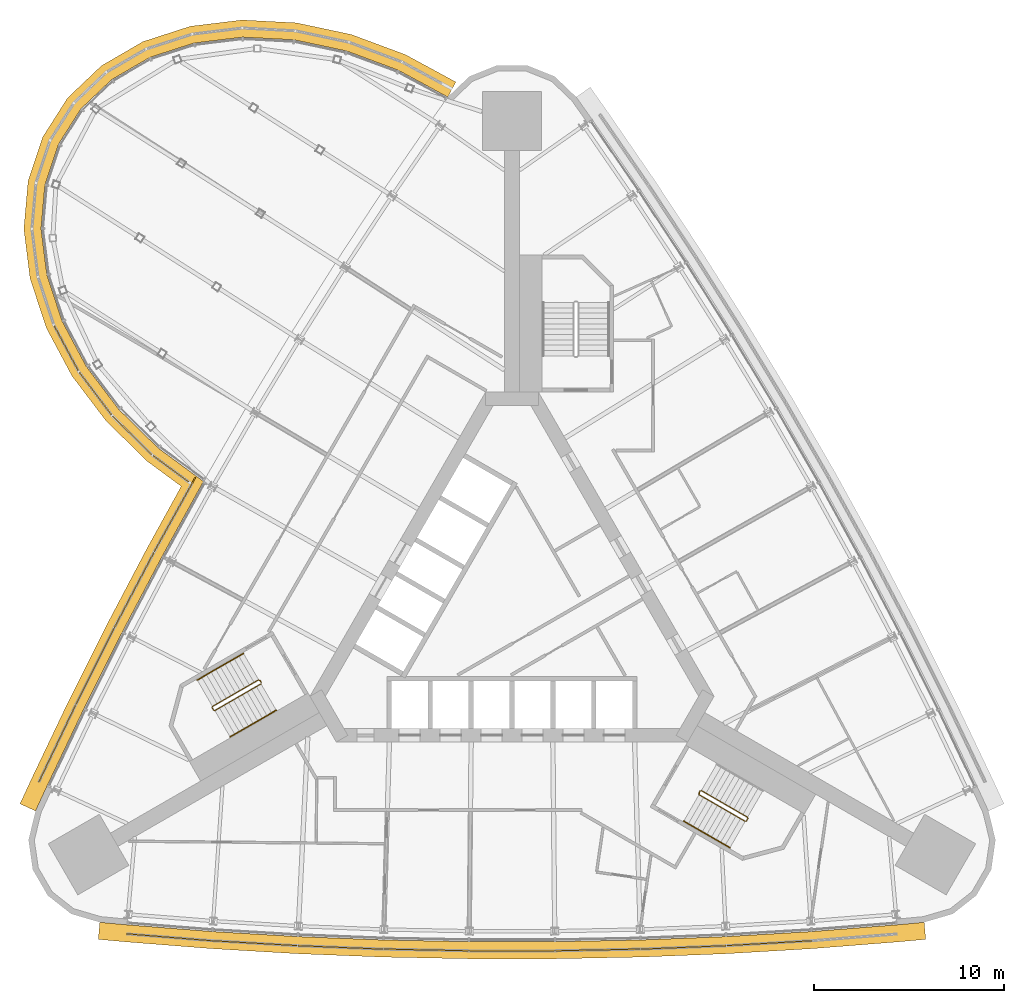
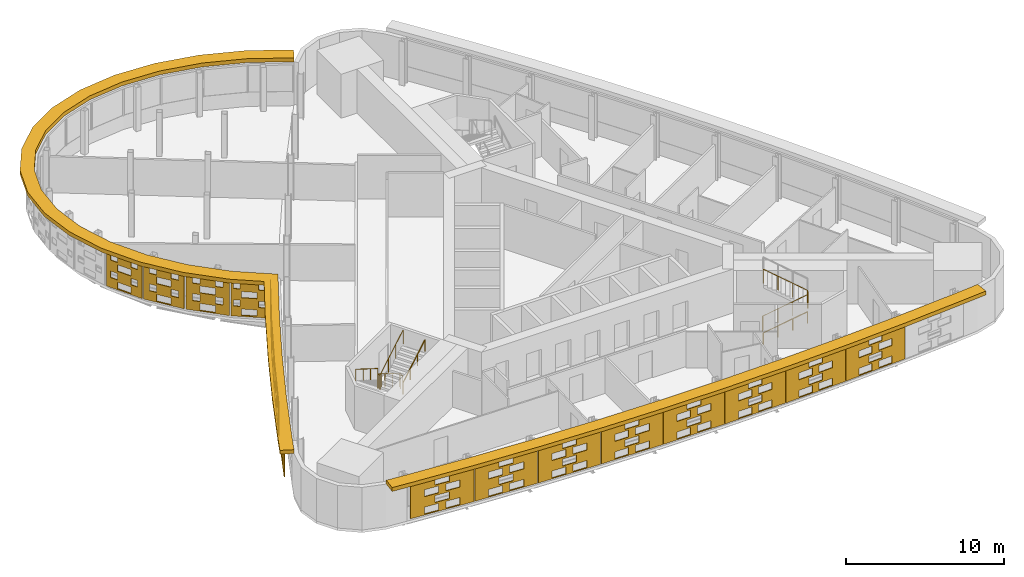
# One storey, part 15 of 17: 18 shading devices, 5 railings.
"""IFC4 building model written with IfcOpenShell, lengths in metres."""

from ifc_helpers import new_model, si_unit, direction, frame, origin, origin_2d, place, context, subcontext, project, spatial, polyline, circle, outline, extrude, material, layer, layer_set, material_profile, profile_set, type_object, element, save


model = new_model("IFC4")

# Units and contexts
model_context = context("Model", 3, precision=1e-05, world=origin(), true_north=direction((0.0, 1.0)))
body_context = subcontext(model_context, "Body", "Model", "MODEL_VIEW")
ifc_project = project(units=[si_unit("LENGTHUNIT", "METRE"), si_unit("AREAUNIT", "SQUARE_METRE"), si_unit("VOLUMEUNIT", "CUBIC_METRE"), si_unit("PLANEANGLEUNIT", "RADIAN"), si_unit("MASSUNIT", "GRAM", prefix="KILO")], contexts=[model_context])

# Site, building, storey
site_placement = place(None, origin())
site = spatial("IfcSite", under=ifc_project, at=site_placement, CompositionType="ELEMENT")
building_placement = place(site_placement, origin())
building = spatial("IfcBuilding", under=site, at=building_placement, Name="Noor Cloister Tower", CompositionType="ELEMENT")
storey_placement = place(building_placement, frame((0.0, 0.0, 98.699951171875)))
storey = spatial("IfcBuildingStorey", under=building, at=storey_placement, Name="L25", CompositionType="ELEMENT", Elevation=98.699951171875)

# Shading devices
ifc_material_1 = material(Name="Limestone", Category="masonry")
ifc_material_profile = material_profile(ifc_material_1, outline(polyline([(-2.22998046875, -1.35009765625), (2.22998046875, -1.35009765625), (2.22998046875, 1.35009765625), (-2.22998046875, 1.35009765625), (-2.22998046875, -1.35009765625)]), holes=[polyline([(-1.25, -1.282470703125), (-0.25, -1.282470703125), (-0.25, -0.742431640625), (-1.25, -0.742431640625), (-1.25, -1.282470703125)]), polyline([(0.25, -1.282470703125), (1.25, -1.282470703125), (1.25, -0.742431640625), (0.25, -0.742431640625), (0.25, -1.282470703125)]), polyline([(-0.5, -0.607421875), (0.5, -0.607421875), (0.5, -0.0673828125), (-0.5, -0.0673828125), (-0.5, -0.607421875)]), polyline([(-1.25, 0.0673828125), (-0.25, 0.0673828125), (-0.25, 0.607421875), (-1.25, 0.607421875), (-1.25, 0.0673828125)]), polyline([(0.25, 0.0673828125), (1.25, 0.0673828125), (1.25, 0.607421875), (0.25, 0.607421875), (0.25, 0.0673828125)]), polyline([(-0.5, 0.742431640625), (0.5, 0.742431640625), (0.5, 1.282470703125), (-0.5, 1.282470703125), (-0.5, 0.742431640625)])]), Name="Woven screen 28 percent open")
ifc_profile_set = profile_set([ifc_material_profile], Name="Limestone")
shading_device_type_1 = type_object("IfcShadingDeviceType", Name="SCREEN woven limestone 28 percent open", PredefinedType="USERDEFINED", material=ifc_profile_set)
shading_device_1_placement = place(storey_placement, frame((-17.6884765625, 5.006591796875, 1.85009765625), z_axis=(-0.874923997532, 0.484260259099, 0.0), x_axis=(-0.484260259099, -0.874923997532, 0.0)))
element("IfcShadingDevice", 1, at=shading_device_1_placement, inside=storey, type_object=shading_device_type_1, Name="SCREEN L25 18", ObjectType="SCREEN", PredefinedType="USERDEFINED", context=body_context, shape_type="SweptSolid", body=[
    extrude(outline(polyline([(-2.22998046875, -1.35009765625), (2.22998046875, -1.35009765625), (2.22998046875, 1.35009765625), (-2.22998046875, 1.35009765625), (-2.22998046875, -1.35009765625)]), holes=[polyline([(-1.25, -1.282470703125), (-0.25, -1.282470703125), (-0.25, -0.742431640625), (-1.25, -0.742431640625), (-1.25, -1.282470703125)]), polyline([(0.25, -1.282470703125), (1.25, -1.282470703125), (1.25, -0.742431640625), (0.25, -0.742431640625), (0.25, -1.282470703125)]), polyline([(-0.5, -0.607421875), (0.5, -0.607421875), (0.5, -0.0673828125), (-0.5, -0.0673828125), (-0.5, -0.607421875)]), polyline([(-1.25, 0.0673828125), (-0.25, 0.0673828125), (-0.25, 0.607421875), (-1.25, 0.607421875), (-1.25, 0.0673828125)]), polyline([(0.25, 0.0673828125), (1.25, 0.0673828125), (1.25, 0.607421875), (0.25, 0.607421875), (0.25, 0.0673828125)]), polyline([(-0.5, 0.742431640625), (0.5, 0.742431640625), (0.5, 1.282470703125), (-0.5, 1.282470703125), (-0.5, 0.742431640625)])]), origin(), (0.0, 0.0, 1.0), 0.06005859375),
])
shading_device_2_placement = place(storey_placement, frame((-19.82666015625, 1.037353515625, 1.85009765625), z_axis=(-0.885271944608, 0.465073740486, 0.0), x_axis=(-0.465073740486, -0.885271944608, 0.0)))
element("IfcShadingDevice", 2, at=shading_device_2_placement, inside=storey, type_object=shading_device_type_1, Name="SCREEN L25 19", ObjectType="SCREEN", PredefinedType="USERDEFINED", context=body_context, shape_type="SweptSolid", body=[
    extrude(outline(polyline([(-2.22998046875, -1.35009765625), (2.22998046875, -1.35009765625), (2.22998046875, 1.35009765625), (-2.22998046875, 1.35009765625), (-2.22998046875, -1.35009765625)]), holes=[polyline([(-1.25, -1.282470703125), (-0.25, -1.282470703125), (-0.25, -0.742431640625), (-1.25, -0.742431640625), (-1.25, -1.282470703125)]), polyline([(0.25, -1.282470703125), (1.25, -1.282470703125), (1.25, -0.742431640625), (0.25, -0.742431640625), (0.25, -1.282470703125)]), polyline([(-0.5, -0.607421875), (0.5, -0.607421875), (0.5, -0.0673828125), (-0.5, -0.0673828125), (-0.5, -0.607421875)]), polyline([(-1.25, 0.0673828125), (-0.25, 0.0673828125), (-0.25, 0.607421875), (-1.25, 0.607421875), (-1.25, 0.0673828125)]), polyline([(0.25, 0.0673828125), (1.25, 0.0673828125), (1.25, 0.607421875), (0.25, 0.607421875), (0.25, 0.0673828125)]), polyline([(-0.5, 0.742431640625), (0.5, 0.742431640625), (0.5, 1.282470703125), (-0.5, 1.282470703125), (-0.5, 0.742431640625)])]), origin(), (0.0, 0.0, 1.0), 0.059814453125),
])
for number, where, z_axis, x_axis, name in (
    (3, (-21.885986328125, -2.973388671875, 1.85009765625), (-0.894427191, 0.4472135955, 0.0), (-0.4472135955, -0.894427191, 0.0), "SCREEN L25 20"),
    (4, (-23.8662109375, -7.02392578125, 1.85009765625), (-0.902409201061, 0.430880068975, 0.0), (-0.430880068975, -0.902409201061, 0.0), "SCREEN L25 21"),
    (5, (-18.015869140625, -17.15673828125, 1.85009765625), (-0.081362009455, -0.996684615823, 0.0), (0.996684615823, -0.081362009455, 0.0), "SCREEN L25 1"),
):
    element("IfcShadingDevice", number, at=place(storey_placement, frame(where, z_axis=z_axis, x_axis=x_axis)), inside=storey, type_object=shading_device_type_1, Name=name, ObjectType="SCREEN", PredefinedType="USERDEFINED", context=body_context, shape_type="SweptSolid", body=[
        extrude(outline(polyline([(-2.22998046875, -1.35009765625), (2.22998046875, -1.35009765625), (2.22998046875, 1.35009765625), (-2.22998046875, 1.35009765625), (-2.22998046875, -1.35009765625)]), holes=[polyline([(-1.25, -1.282470703125), (-0.25, -1.282470703125), (-0.25, -0.742431640625), (-1.25, -0.742431640625), (-1.25, -1.282470703125)]), polyline([(0.25, -1.282470703125), (1.25, -1.282470703125), (1.25, -0.742431640625), (0.25, -0.742431640625), (0.25, -1.282470703125)]), polyline([(-0.5, -0.607421875), (0.5, -0.607421875), (0.5, -0.0673828125), (-0.5, -0.0673828125), (-0.5, -0.607421875)]), polyline([(-1.25, 0.0673828125), (-0.25, 0.0673828125), (-0.25, 0.607421875), (-1.25, 0.607421875), (-1.25, 0.0673828125)]), polyline([(0.25, 0.0673828125), (1.25, 0.0673828125), (1.25, 0.607421875), (0.25, 0.607421875), (0.25, 0.0673828125)]), polyline([(-0.5, 0.742431640625), (0.5, 0.742431640625), (0.5, 1.282470703125), (-0.5, 1.282470703125), (-0.5, 0.742431640625)])]), origin(), (0.0, 0.0, 1.0), 0.06005859375),
    ])
shading_device_3_placement = place(storey_placement, frame((-13.51806640625, -17.46728515625, 1.85009765625), z_axis=(-0.057049790539, -0.998371334424, 0.0), x_axis=(0.998371334424, -0.057049790539, 0.0)))
element("IfcShadingDevice", 6, at=shading_device_3_placement, inside=storey, type_object=shading_device_type_1, Name="SCREEN L25 2", ObjectType="SCREEN", PredefinedType="USERDEFINED", context=body_context, shape_type="SweptSolid", body=[
    extrude(outline(polyline([(-2.22998046875, -1.35009765625), (2.22998046875, -1.35009765625), (2.22998046875, 1.35009765625), (-2.22998046875, 1.35009765625), (-2.22998046875, -1.35009765625)]), holes=[polyline([(-1.25, -1.282470703125), (-0.25, -1.282470703125), (-0.25, -0.742431640625), (-1.25, -0.742431640625), (-1.25, -1.282470703125)]), polyline([(0.25, -1.282470703125), (1.25, -1.282470703125), (1.25, -0.742431640625), (0.25, -0.742431640625), (0.25, -1.282470703125)]), polyline([(-0.5, -0.607421875), (0.5, -0.607421875), (0.5, -0.0673828125), (-0.5, -0.0673828125), (-0.5, -0.607421875)]), polyline([(-1.25, 0.0673828125), (-0.25, 0.0673828125), (-0.25, 0.607421875), (-1.25, 0.607421875), (-1.25, 0.0673828125)]), polyline([(0.25, 0.0673828125), (1.25, 0.0673828125), (1.25, 0.607421875), (0.25, 0.607421875), (0.25, 0.0673828125)]), polyline([(-0.5, 0.742431640625), (0.5, 0.742431640625), (0.5, 1.282470703125), (-0.5, 1.282470703125), (-0.5, 0.742431640625)])]), origin(), (0.0, 0.0, 1.0), 0.059814453125),
])
for number, where, z_axis, x_axis, name in (
    (7, (-9.014892578125, -17.68896484375, 1.85009765625), (-0.040616861577, -0.999174794796, 0.0), (0.999174794796, -0.040616861577, 0.0), "SCREEN L25 3"),
    (8, (-4.50830078125, -17.822021484375, 1.85009765625), (-0.020321006241, -0.999793507033, 0.0), (0.999793507033, -0.020321006241, 0.0), "SCREEN L25 4"),
    (9, (0.0, -17.866455078125, 1.85009765625), (0.0, -1.0, 0.0), (1.0, 0.0, 0.0), "SCREEN L25 5"),
    (10, (4.50830078125, -17.822021484375, 1.85009765625), (0.020321006241, -0.999793507033, 0.0), (0.999793507033, 0.020321006241, 0.0), "SCREEN L25 6"),
    (11, (9.014892578125, -17.68896484375, 1.85009765625), (0.040616861577, -0.999174794796, 0.0), (0.999174794796, 0.040616861577, 0.0), "SCREEN L25 7"),
):
    element("IfcShadingDevice", number, at=place(storey_placement, frame(where, z_axis=z_axis, x_axis=x_axis)), inside=storey, type_object=shading_device_type_1, Name=name, ObjectType="SCREEN", PredefinedType="USERDEFINED", context=body_context, shape_type="SweptSolid", body=[
        extrude(outline(polyline([(-2.22998046875, -1.35009765625), (2.22998046875, -1.35009765625), (2.22998046875, 1.35009765625), (-2.22998046875, 1.35009765625), (-2.22998046875, -1.35009765625)]), holes=[polyline([(-1.25, -1.282470703125), (-0.25, -1.282470703125), (-0.25, -0.742431640625), (-1.25, -0.742431640625), (-1.25, -1.282470703125)]), polyline([(0.25, -1.282470703125), (1.25, -1.282470703125), (1.25, -0.742431640625), (0.25, -0.742431640625), (0.25, -1.282470703125)]), polyline([(-0.5, -0.607421875), (0.5, -0.607421875), (0.5, -0.0673828125), (-0.5, -0.0673828125), (-0.5, -0.607421875)]), polyline([(-1.25, 0.0673828125), (-0.25, 0.0673828125), (-0.25, 0.607421875), (-1.25, 0.607421875), (-1.25, 0.0673828125)]), polyline([(0.25, 0.0673828125), (1.25, 0.0673828125), (1.25, 0.607421875), (0.25, 0.607421875), (0.25, 0.0673828125)]), polyline([(-0.5, 0.742431640625), (0.5, 0.742431640625), (0.5, 1.282470703125), (-0.5, 1.282470703125), (-0.5, 0.742431640625)])]), origin(), (0.0, 0.0, 1.0), 0.06005859375),
    ])
shading_device_4_placement = place(storey_placement, frame((13.51806640625, -17.46728515625, 1.85009765625), z_axis=(0.057049790539, -0.998371334424, 0.0), x_axis=(0.998371334424, 0.057049790539, 0.0)))
element("IfcShadingDevice", 12, at=shading_device_4_placement, inside=storey, type_object=shading_device_type_1, Name="SCREEN L25 8", ObjectType="SCREEN", PredefinedType="USERDEFINED", context=body_context, shape_type="SweptSolid", body=[
    extrude(outline(polyline([(-2.22998046875, -1.35009765625), (2.22998046875, -1.35009765625), (2.22998046875, 1.35009765625), (-2.22998046875, 1.35009765625), (-2.22998046875, -1.35009765625)]), holes=[polyline([(-1.25, -1.282470703125), (-0.25, -1.282470703125), (-0.25, -0.742431640625), (-1.25, -0.742431640625), (-1.25, -1.282470703125)]), polyline([(0.25, -1.282470703125), (1.25, -1.282470703125), (1.25, -0.742431640625), (0.25, -0.742431640625), (0.25, -1.282470703125)]), polyline([(-0.5, -0.607421875), (0.5, -0.607421875), (0.5, -0.0673828125), (-0.5, -0.0673828125), (-0.5, -0.607421875)]), polyline([(-1.25, 0.0673828125), (-0.25, 0.0673828125), (-0.25, 0.607421875), (-1.25, 0.607421875), (-1.25, 0.0673828125)]), polyline([(0.25, 0.0673828125), (1.25, 0.0673828125), (1.25, 0.607421875), (0.25, 0.607421875), (0.25, 0.0673828125)]), polyline([(-0.5, 0.742431640625), (0.5, 0.742431640625), (0.5, 1.282470703125), (-0.5, 1.282470703125), (-0.5, 0.742431640625)])]), origin(), (0.0, 0.0, 1.0), 0.059814453125),
])
ifc_material_2 = material(Name="Limestone", Category="masonry")
ifc_layer = layer(ifc_material_2, 0.06005859375)
ifc_layer_set = layer_set([ifc_layer], Name="SCREEN woven limestone pod 28 percent open")
shading_device_type_2 = type_object("IfcShadingDeviceType", Name="SCREEN woven limestone pod 28 percent open", PredefinedType="USERDEFINED", material=ifc_layer_set)
shading_device_5_placement = place(storey_placement, frame((-23.390380859375, 13.770751953125, 1.85009765625), z_axis=(-0.88190253726, -0.47143177107, 0.0), x_axis=(0.47143177107, -0.88190253726, 0.0)))
element("IfcShadingDevice", 13, at=shading_device_5_placement, inside=storey, type_object=shading_device_type_2, Name="SCREEN L25 14", ObjectType="SCREEN", PredefinedType="USERDEFINED", context=body_context, shape_type="SweptSolid", body=[
    extrude(outline(polyline([(-1.3330078125, -1.35009765625), (1.3330078125, -1.35009765625), (1.3330078125, 1.35009765625), (-1.3330078125, 1.35009765625), (-1.3330078125, -1.35009765625)]), holes=[polyline([(-0.5, -1.264404296875), (0.5, -1.264404296875), (0.5, -0.760498046875), (-0.5, -0.760498046875), (-0.5, -1.264404296875)]), polyline([(-1.0, -0.58935546875), (-0.5, -0.58935546875), (-0.5, -0.085693359375), (-1.0, -0.085693359375), (-1.0, -0.58935546875)]), polyline([(0.5, -0.58935546875), (1.0, -0.58935546875), (1.0, -0.085693359375), (0.5, -0.085693359375), (0.5, -0.58935546875)]), polyline([(-0.5, 0.085693359375), (0.5, 0.085693359375), (0.5, 0.58935546875), (-0.5, 0.58935546875), (-0.5, 0.085693359375)]), polyline([(-1.0, 0.760498046875), (-0.5, 0.760498046875), (-0.5, 1.264404296875), (-1.0, 1.264404296875), (-1.0, 0.760498046875)]), polyline([(0.5, 0.760498046875), (1.0, 0.760498046875), (1.0, 1.264404296875), (0.5, 1.264404296875), (0.5, 0.760498046875)])]), origin(), (0.0, 0.0, 1.0), 0.06005859375),
])
shading_device_6_placement = place(storey_placement, frame((-21.863037109375, 11.393798828125, 1.85009765625), z_axis=(-0.798041368931, -0.602602666336, 0.0), x_axis=(0.602602666336, -0.798041368931, 0.0)))
element("IfcShadingDevice", 14, at=shading_device_6_placement, inside=storey, type_object=shading_device_type_2, Name="SCREEN L25 15", ObjectType="SCREEN", PredefinedType="USERDEFINED", context=body_context, shape_type="SweptSolid", body=[
    extrude(outline(polyline([(-1.39013671875, -1.35009765625), (1.39013671875, -1.35009765625), (1.39013671875, 1.35009765625), (-1.39013671875, 1.35009765625), (-1.39013671875, -1.35009765625)]), holes=[polyline([(-0.5, -1.275146484375), (0.5, -1.275146484375), (0.5, -0.749755859375), (-0.5, -0.749755859375), (-0.5, -1.275146484375)]), polyline([(-1.0, -0.600341796875), (-0.5, -0.600341796875), (-0.5, -0.07470703125), (-1.0, -0.07470703125), (-1.0, -0.600341796875)]), polyline([(0.5, -0.600341796875), (1.0, -0.600341796875), (1.0, -0.07470703125), (0.5, -0.07470703125), (0.5, -0.600341796875)]), polyline([(-0.5, 0.07470703125), (0.5, 0.07470703125), (0.5, 0.600341796875), (-0.5, 0.600341796875), (-0.5, 0.07470703125)]), polyline([(-1.0, 0.749755859375), (-0.5, 0.749755859375), (-0.5, 1.275146484375), (-1.0, 1.275146484375), (-1.0, 0.749755859375)]), polyline([(0.5, 0.749755859375), (1.0, 0.749755859375), (1.0, 1.275146484375), (0.5, 1.275146484375), (0.5, 0.749755859375)])]), origin(), (0.0, 0.0, 1.0), 0.06005859375),
])
shading_device_7_placement = place(storey_placement, frame((-19.931640625, 9.20361328125, 1.85009765625), z_axis=(-0.70096726958, -0.713193442887, 0.0), x_axis=(0.713193442887, -0.70096726958, 0.0)))
element("IfcShadingDevice", 15, at=shading_device_7_placement, inside=storey, type_object=shading_device_type_2, Name="SCREEN L25 16", ObjectType="SCREEN", PredefinedType="USERDEFINED", context=body_context, shape_type="SweptSolid", body=[
    extrude(outline(polyline([(-1.431640625, -1.35009765625), (1.431640625, -1.35009765625), (1.431640625, 1.35009765625), (-1.431640625, 1.35009765625), (-1.431640625, -1.35009765625)]), holes=[polyline([(-0.5, -1.282470703125), (0.5, -1.282470703125), (0.5, -0.742431640625), (-0.5, -0.742431640625), (-0.5, -1.282470703125)]), polyline([(-1.0, -0.607421875), (-0.5, -0.607421875), (-0.5, -0.0673828125), (-1.0, -0.0673828125), (-1.0, -0.607421875)]), polyline([(0.5, -0.607421875), (1.0, -0.607421875), (1.0, -0.0673828125), (0.5, -0.0673828125), (0.5, -0.607421875)]), polyline([(-0.5, 0.0673828125), (0.5, 0.0673828125), (0.5, 0.607421875), (-0.5, 0.607421875), (-0.5, 0.0673828125)]), polyline([(-1.0, 0.742431640625), (-0.5, 0.742431640625), (-0.5, 1.282470703125), (-1.0, 1.282470703125), (-1.0, 0.742431640625)]), polyline([(0.5, 0.742431640625), (1.0, 0.742431640625), (1.0, 1.282470703125), (0.5, 1.282470703125), (0.5, 0.742431640625)])]), origin(), (0.0, 0.0, 1.0), 0.059814453125),
])
shading_device_8_placement = place(storey_placement, frame((-17.902587890625, 7.449951171875, 1.85009765625), z_axis=(-0.593476321419, -0.804851449595, 0.0), x_axis=(0.804851449595, -0.593476321419, 0.0)))
element("IfcShadingDevice", 16, at=shading_device_8_placement, inside=storey, type_object=shading_device_type_2, Name="SCREEN L25 17", ObjectType="SCREEN", PredefinedType="USERDEFINED", context=body_context, shape_type="SweptSolid", body=[
    extrude(outline(polyline([(-1.153564453125, -1.35009765625), (1.153564453125, -1.35009765625), (1.153564453125, 1.35009765625), (-1.153564453125, 1.35009765625), (-1.153564453125, -1.35009765625)]), holes=[polyline([(-0.5, -1.25390625), (0.5, -1.25390625), (0.5, -0.771240234375), (-0.5, -0.771240234375), (-0.5, -1.25390625)]), polyline([(0.60009765625, -0.578857421875), (1.00341796875, -0.578857421875), (1.00341796875, -0.09619140625), (0.60009765625, -0.09619140625), (0.60009765625, -0.578857421875)]), polyline([(-1.00341796875, -0.578857421875), (-0.60009765625, -0.578857421875), (-0.60009765625, -0.09619140625), (-1.00341796875, -0.09619140625), (-1.00341796875, -0.578857421875)]), polyline([(-0.5, 0.09619140625), (0.5, 0.09619140625), (0.5, 0.578857421875), (-0.5, 0.578857421875), (-0.5, 0.09619140625)]), polyline([(0.60009765625, 0.771240234375), (1.00341796875, 0.771240234375), (1.00341796875, 1.25390625), (0.60009765625, 1.25390625), (0.60009765625, 0.771240234375)]), polyline([(-1.00341796875, 0.771240234375), (-0.60009765625, 0.771240234375), (-0.60009765625, 1.25390625), (-1.00341796875, 1.25390625), (-1.00341796875, 0.771240234375)])]), origin(), (0.0, 0.0, 1.0), 0.06005859375),
])
ifc_material_3 = material(Name="Limestone", Category="masonry")
shading_device_type_3 = type_object("IfcShadingDeviceType", Name="SUNSHADE limestone band 900", PredefinedType="USERDEFINED", material=ifc_material_3)
shading_device_9_placement = place(storey_placement, frame((0.0, 0.0, 3.300048828125)))
element("IfcShadingDevice", 17, at=shading_device_9_placement, inside=storey, type_object=shading_device_type_3, Name="SUNSHADE L25 1", ObjectType="SUNSHADE", PredefinedType="USERDEFINED", context=body_context, shape_type="SweptSolid", body=[
    extrude(outline(polyline([(-2.946533203125, 27.743896484375), (-5.5927734375, 29.178955078125), (-8.43505859375, 30.2373046875), (-11.32763671875, 30.85302734375), (-14.1787109375, 31.001708984375), (-16.896240234375, 30.671875), (-19.38916015625, 29.864990234375), (-21.56787109375, 28.598388671875), (-23.34619140625, 26.908935546875), (-24.649169921875, 24.85888671875), (-25.42333984375, 22.53125), (-25.64501953125, 20.020751953125), (-25.31689453125, 17.421142578125), (-24.461669921875, 14.82080078125), (-23.1162109375, 12.302734375), (-21.330322265625, 9.9453125), (-19.1650390625, 7.821533203125), (-17.377197265625, 6.50341796875), (-19.17333984375, 3.245849609375), (-21.2763671875, -0.75244140625), (-23.30029296875, -4.791259765625), (-25.2431640625, -8.866455078125), (-25.846923828125, -10.17626953125), (-25.029541015625, -10.552978515625), (-24.42822265625, -9.24853515625), (-22.49169921875, -5.1865234375), (-20.475830078125, -1.16357421875), (-18.380859375, 2.819091796875), (-16.2080078125, 6.759765625), (-18.580078125, 8.508544921875), (-20.65283203125, 10.54150390625), (-22.35595703125, 12.78955078125), (-23.631103515625, 15.17626953125), (-24.434814453125, 17.619873046875), (-24.739990234375, 20.03759765625), (-24.5361328125, 22.34716796875), (-23.830078125, 24.469482421875), (-22.646240234375, 26.332763671875), (-21.0244140625, 27.873291015625), (-19.02001953125, 29.03857421875), (-16.70166015625, 29.7890625), (-14.147705078125, 30.098876953125), (-11.445556640625, 29.9580078125), (-8.68701171875, 29.370849609375), (-5.96630859375, 28.357666015625), (-3.37548828125, 26.95263671875), (-2.946533203125, 27.743896484375)])), origin(), (0.0, 0.0, 1.0), 0.300048828125),
])
shading_device_10_placement = place(storey_placement, frame((0.0, 0.0, 3.300048828125)))
element("IfcShadingDevice", 18, at=shading_device_10_placement, inside=storey, type_object=shading_device_type_3, Name="SUNSHADE L25 2", ObjectType="SUNSHADE", PredefinedType="USERDEFINED", context=body_context, shape_type="SweptSolid", body=[
    extrude(outline(polyline([(-21.736328125, -17.2958984375), (-20.300048828125, -17.427978515625), (-15.799560546875, -17.783203125), (-11.289794921875, -18.0498046875), (-6.775634765625, -18.2275390625), (-2.2587890625, -18.31640625), (2.2587890625, -18.31640625), (6.775634765625, -18.2275390625), (11.289794921875, -18.0498046875), (15.799560546875, -17.783203125), (20.300048828125, -17.427978515625), (21.736328125, -17.2958984375), (21.65380859375, -16.399658203125), (20.2236328125, -16.53125), (15.737548828125, -16.88525390625), (11.245361328125, -17.150634765625), (6.7490234375, -17.327880859375), (2.25, -17.41650390625), (-2.25, -17.41650390625), (-6.7490234375, -17.327880859375), (-11.245361328125, -17.150634765625), (-15.737548828125, -16.88525390625), (-20.2236328125, -16.53125), (-21.65380859375, -16.399658203125), (-21.736328125, -17.2958984375)])), origin(), (0.0, 0.0, 1.0), 0.300048828125),
])

# Railings
ifc_material_4 = material(Name="Stainless steel", Category="steel")
railing_type_1 = type_object("IfcRailingType", Name="Stair guard 1100", PredefinedType="GUARDRAIL", material=ifc_material_4)
railing_1_placement = place(storey_placement, frame((-13.241455078125, -3.677734375, 0.0)))
element("IfcRailing", 19, at=railing_1_placement, inside=storey, type_object=railing_type_1, Name="Stair guard ST2 L25", PredefinedType="GUARDRAIL", context=body_context, shape_type="SweptSolid", body=[
    extrude(circle(Radius=0.02392578125, at=origin_2d()), frame((0.0, 0.0, 1.076171875), z_axis=(0.499112439033, -0.866537231285, 0.0), x_axis=(0.866537231285, 0.499112439033, 0.0)), (0.0, 0.0, 1.0), 0.150146484375),
    extrude(circle(Radius=0.02392578125, at=origin_2d()), frame((0.074951171875, -0.130126953125, 1.076171875), z_axis=(-0.544565797804, 0.563119998752, 0.621565731736), x_axis=(-0.718850276695, -0.695164929852, 0.0)), (0.0, 0.0, 1.0), 0.26318359375),
    extrude(circle(Radius=0.02392578125, at=origin_2d()), frame((-0.068359375, 0.01806640625, 1.23974609375), z_axis=(-0.747689811644, -0.431660630283, 0.504607813879), x_axis=(0.49998411664, -0.866034573852, 0.0)), (0.0, 0.0, 1.0), 3.2431640625),
    extrude(circle(Radius=0.02392578125, at=origin_2d()), frame((-2.4931640625, -1.3818359375, 2.8759765625), z_axis=(-0.258736085224, -0.965948051503, 0.0), x_axis=(0.965948051503, -0.258736085224, 0.0)), (0.0, 0.0, 1.0), 0.07080078125),
    extrude(circle(Radius=0.02392578125, at=origin_2d()), frame((-2.511474609375, -1.4501953125, 2.8759765625), z_axis=(0.499816412211, -0.866131372301, 0.0), x_axis=(0.866131372301, 0.499816412211, 0.0)), (0.0, 0.0, 1.0), 0.14990234375),
    extrude(circle(Radius=0.02392578125, at=origin_2d()), frame((-2.4365234375, -1.580078125, 2.8759765625), z_axis=(0.383552647116, -0.102737316192, 0.917786691313), x_axis=(0.258736085224, 0.965948051503, 0.0)), (0.0, 0.0, 1.0), 0.17822265625),
    extrude(circle(Radius=0.02392578125, at=origin_2d()), frame((-2.3681640625, -1.598388671875, 3.03955078125), z_axis=(0.747665513933, 0.431721881032, 0.504591415616), x_axis=(-0.500049511043, 0.865996816683, 0.0)), (0.0, 0.0, 1.0), 3.2431640625),
    extrude(circle(Radius=0.02099609375, at=origin_2d()), origin(), (0.0, 0.0, 1.0), 1.052001953125),
    extrude(circle(Radius=0.02099609375, at=origin_2d()), frame((0.074951171875, -0.130126953125, 0.0)), (0.0, 0.0, 1.0), 1.052001953125),
    extrude(circle(Radius=0.02099609375, at=origin_2d()), frame((-0.068359375, 0.01806640625, 0.16357421875)), (0.0, 0.0, 1.0), 1.052001953125),
    extrude(circle(Radius=0.02099609375, at=origin_2d()), frame((-0.876708984375, -0.448486328125, 0.708984375)), (0.0, 0.0, 1.0), 1.052001953125),
    extrude(circle(Radius=0.02099609375, at=origin_2d()), frame((-1.684814453125, -0.915283203125, 1.254638671875)), (0.0, 0.0, 1.0), 1.052001953125),
    extrude(circle(Radius=0.02099609375, at=origin_2d()), frame((-2.4931640625, -1.3818359375, 1.800048828125)), (0.0, 0.0, 1.0), 1.052001953125),
    extrude(circle(Radius=0.02099609375, at=origin_2d()), frame((-2.511474609375, -1.4501953125, 1.800048828125)), (0.0, 0.0, 1.0), 1.052001953125),
    extrude(circle(Radius=0.02099609375, at=origin_2d()), frame((-2.4365234375, -1.580078125, 1.800048828125)), (0.0, 0.0, 1.0), 1.052001953125),
    extrude(circle(Radius=0.02099609375, at=origin_2d()), frame((-2.3681640625, -1.598388671875, 1.963623046875)), (0.0, 0.0, 1.0), 1.052001953125),
    extrude(circle(Radius=0.02099609375, at=origin_2d()), frame((-1.559814453125, -1.131591796875, 2.509033203125)), (0.0, 0.0, 1.0), 1.052001953125),
    extrude(circle(Radius=0.02099609375, at=origin_2d()), frame((-0.751708984375, -0.6650390625, 3.0546875)), (0.0, 0.0, 1.0), 1.052001953125),
    extrude(circle(Radius=0.02099609375, at=origin_2d()), frame((0.056640625, -0.1982421875, 3.60009765625)), (0.0, 0.0, 1.0), 1.052001953125),
])
railing_2_placement = place(storey_placement, frame((9.805908203125, -9.628662109375, 0.0)))
element("IfcRailing", 20, at=railing_2_placement, inside=storey, type_object=railing_type_1, Name="Stair guard ST3 L25", PredefinedType="GUARDRAIL", context=body_context, shape_type="SweptSolid", body=[
    extrude(circle(Radius=0.02392578125, at=origin_2d()), frame((0.0, 0.0, 1.076171875), z_axis=(0.499112439033, 0.866537231285, 0.0), x_axis=(-0.866537231285, 0.499112439033, 0.0)), (0.0, 0.0, 1.0), 0.150146484375),
    extrude(circle(Radius=0.02392578125, at=origin_2d()), frame((0.074951171875, 0.130126953125, 1.076171875), z_axis=(-0.215214839654, -0.753251938789, 0.621525614518), x_axis=(0.961523947641, -0.274721127897, 0.0)), (0.0, 0.0, 1.0), 0.26318359375),
    extrude(circle(Radius=0.02392578125, at=origin_2d()), frame((0.018310546875, -0.068115234375, 1.23974609375), z_axis=(0.747665513933, -0.431721881032, 0.504591415616), x_axis=(0.500049511043, 0.865996816683, 0.0)), (0.0, 0.0, 1.0), 3.2431640625),
    extrude(circle(Radius=0.02392578125, at=origin_2d()), frame((2.443115234375, -1.46826171875, 2.8759765625), z_axis=(0.965948051503, 0.258736085224, 0.0), x_axis=(-0.258736085224, 0.965948051503, 0.0)), (0.0, 0.0, 1.0), 0.07080078125),
    extrude(circle(Radius=0.02392578125, at=origin_2d()), frame((2.511474609375, -1.449951171875, 2.8759765625), z_axis=(0.499816412211, 0.866131372301, 0.0), x_axis=(-0.866131372301, 0.499816412211, 0.0)), (0.0, 0.0, 1.0), 0.14990234375),
    extrude(circle(Radius=0.02392578125, at=origin_2d()), frame((2.58642578125, -1.320068359375, 2.8759765625), z_axis=(-0.102737316192, 0.383552647116, 0.917786691313), x_axis=(-0.965948051503, -0.258736085224, 0.0)), (0.0, 0.0, 1.0), 0.17822265625),
    extrude(circle(Radius=0.02392578125, at=origin_2d()), frame((2.568115234375, -1.251708984375, 3.03955078125), z_axis=(-0.747689811644, 0.431660630283, 0.504607813879), x_axis=(-0.49998411664, -0.866034573852, 0.0)), (0.0, 0.0, 1.0), 3.2431640625),
    extrude(circle(Radius=0.02099609375, at=origin_2d()), origin(), (0.0, 0.0, 1.0), 1.052001953125),
    extrude(circle(Radius=0.02099609375, at=origin_2d()), frame((0.074951171875, 0.130126953125, 0.0)), (0.0, 0.0, 1.0), 1.052001953125),
    extrude(circle(Radius=0.02099609375, at=origin_2d()), frame((0.018310546875, -0.068115234375, 0.16357421875)), (0.0, 0.0, 1.0), 1.052001953125),
    extrude(circle(Radius=0.02099609375, at=origin_2d()), frame((0.82666015625, -0.534912109375, 0.708984375)), (0.0, 0.0, 1.0), 1.052001953125),
    extrude(circle(Radius=0.02099609375, at=origin_2d()), frame((1.634765625, -1.00146484375, 1.254638671875)), (0.0, 0.0, 1.0), 1.052001953125),
    extrude(circle(Radius=0.02099609375, at=origin_2d()), frame((2.443115234375, -1.46826171875, 1.800048828125)), (0.0, 0.0, 1.0), 1.052001953125),
    extrude(circle(Radius=0.02099609375, at=origin_2d()), frame((2.511474609375, -1.449951171875, 1.800048828125)), (0.0, 0.0, 1.0), 1.052001953125),
    extrude(circle(Radius=0.02099609375, at=origin_2d()), frame((2.58642578125, -1.320068359375, 1.800048828125)), (0.0, 0.0, 1.0), 1.052001953125),
    extrude(circle(Radius=0.02099609375, at=origin_2d()), frame((2.568115234375, -1.251708984375, 1.963623046875)), (0.0, 0.0, 1.0), 1.052001953125),
    extrude(circle(Radius=0.02099609375, at=origin_2d()), frame((1.759765625, -0.78515625, 2.509033203125)), (0.0, 0.0, 1.0), 1.052001953125),
    extrude(circle(Radius=0.02099609375, at=origin_2d()), frame((0.95166015625, -0.318359375, 3.0546875)), (0.0, 0.0, 1.0), 1.052001953125),
    extrude(circle(Radius=0.02099609375, at=origin_2d()), frame((0.143310546875, 0.148193359375, 3.60009765625)), (0.0, 0.0, 1.0), 1.052001953125),
])
ifc_material_5 = material(Name="Stainless steel", Category="steel")
railing_type_2 = type_object("IfcRailingType", Name="Stair handrail 900", PredefinedType="HANDRAIL", material=ifc_material_5)
railing_3_placement = place(storey_placement, frame((-14.10986328125, -2.27392578125, 0.16357421875)))
element("IfcRailing", 21, at=railing_3_placement, inside=storey, type_object=railing_type_2, Name="Stair handrail ST2 L25 1", PredefinedType="HANDRAIL", context=body_context, shape_type="SweptSolid", body=[
    extrude(circle(Radius=0.02392578125, at=origin_2d()), frame((0.0, 0.0, 0.8759765625), z_axis=(-0.747689811644, -0.431660630283, 0.504607813879), x_axis=(0.49998411664, -0.866034573852, 0.0)), (0.0, 0.0, 1.0), 3.2431640625),
    extrude(circle(Radius=0.02099609375, at=origin_2d()), origin(), (0.0, 0.0, 1.0), 0.851806640625),
    extrude(circle(Radius=0.02099609375, at=origin_2d()), frame((-0.808349609375, -0.466552734375, 0.54541015625)), (0.0, 0.0, 1.0), 0.851806640625),
    extrude(circle(Radius=0.02099609375, at=origin_2d()), frame((-1.616455078125, -0.933349609375, 1.091064453125)), (0.0, 0.0, 1.0), 0.851806640625),
    extrude(circle(Radius=0.02099609375, at=origin_2d()), frame((-2.4248046875, -1.39990234375, 1.636474609375)), (0.0, 0.0, 1.0), 0.851806640625),
])
railing_4_placement = place(storey_placement, frame((-14.8095703125, -6.66162109375, 1.963623046875)))
element("IfcRailing", 22, at=railing_4_placement, inside=storey, type_object=railing_type_2, Name="Stair handrail ST2 L25 2", PredefinedType="HANDRAIL", context=body_context, shape_type="SweptSolid", body=[
    extrude(circle(Radius=0.02392578125, at=origin_2d()), frame((0.0, 0.0, 0.8759765625), z_axis=(0.747689811644, 0.431660630283, 0.504607813879), x_axis=(-0.49998411664, 0.866034573852, 0.0)), (0.0, 0.0, 1.0), 3.2431640625),
    extrude(circle(Radius=0.02099609375, at=origin_2d()), origin(), (0.0, 0.0, 1.0), 0.851806640625),
    extrude(circle(Radius=0.02099609375, at=origin_2d()), frame((0.808349609375, 0.466552734375, 0.54541015625)), (0.0, 0.0, 1.0), 0.851806640625),
    extrude(circle(Radius=0.02099609375, at=origin_2d()), frame((1.616455078125, 0.933349609375, 1.091064453125)), (0.0, 0.0, 1.0), 0.851806640625),
    extrude(circle(Radius=0.02099609375, at=origin_2d()), frame((2.4248046875, 1.39990234375, 1.636474609375)), (0.0, 0.0, 1.0), 0.851806640625),
])
railing_5_placement = place(storey_placement, frame((9.024169921875, -11.08251953125, 0.16357421875)))
element("IfcRailing", 23, at=railing_5_placement, inside=storey, type_object=railing_type_2, Name="Stair handrail ST3 L25 1", PredefinedType="HANDRAIL", context=body_context, shape_type="SweptSolid", body=[
    extrude(circle(Radius=0.02392578125, at=origin_2d()), frame((0.0, 0.0, 0.8759765625), z_axis=(0.747689811644, -0.431660630283, 0.504607813879), x_axis=(0.49998411664, 0.866034573852, 0.0)), (0.0, 0.0, 1.0), 3.2431640625),
    extrude(circle(Radius=0.02099609375, at=origin_2d()), origin(), (0.0, 0.0, 1.0), 0.851806640625),
    extrude(circle(Radius=0.02099609375, at=origin_2d()), frame((0.808349609375, -0.466552734375, 0.54541015625)), (0.0, 0.0, 1.0), 0.851806640625),
    extrude(circle(Radius=0.02099609375, at=origin_2d()), frame((1.616455078125, -0.933349609375, 1.091064453125)), (0.0, 0.0, 1.0), 0.851806640625),
    extrude(circle(Radius=0.02099609375, at=origin_2d()), frame((2.4248046875, -1.39990234375, 1.636474609375)), (0.0, 0.0, 1.0), 0.851806640625),
])

save(model, "model.ifc")
